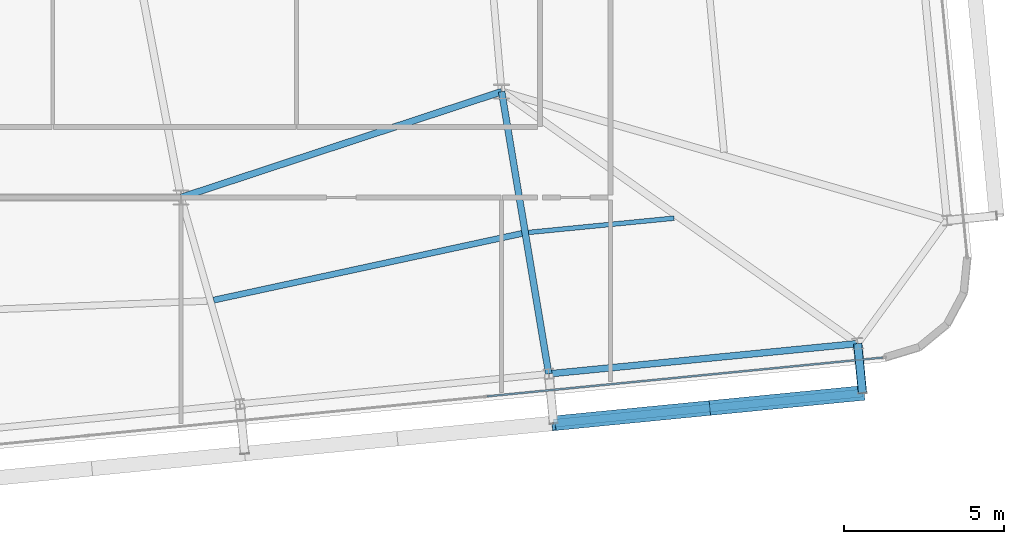
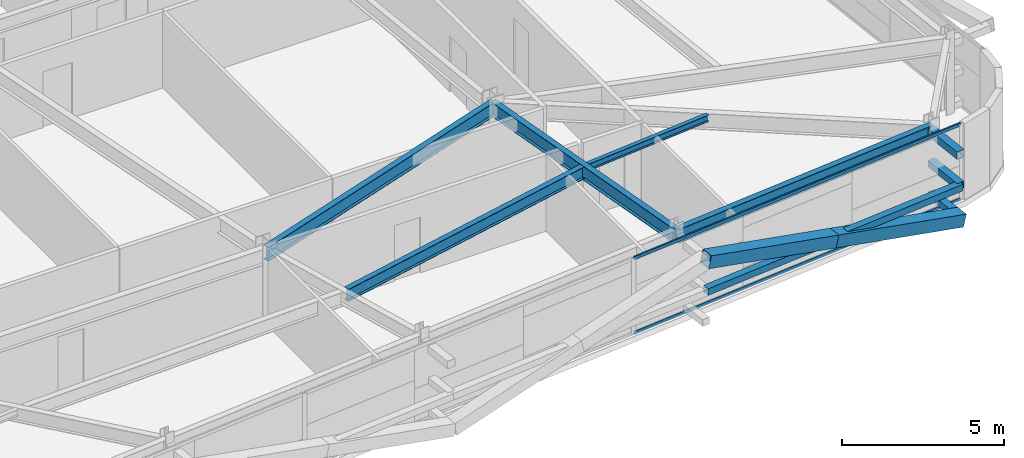
# One storey, part 16 of 47: 8 members, 5 beams, 1 element without a shape of its own.
"""IFC4 building model written with IfcOpenShell, lengths in metres."""

from ifc_helpers import new_model, si_unit, direction, frame, origin, origin_2d, place, context, subcontext, project, spatial, hollow_rectangle, i_section, extrude, source, transform, mapped, material, layer, layer_set, material_profile, profile_set, type_object, element, aggregate, save


model = new_model("IFC4")

# Units and contexts
model_context = context("Model", 3, precision=1e-05, world=origin(), true_north=direction((0.0, 1.0)))
body_context = subcontext(model_context, "Body", "Model", "MODEL_VIEW")
ifc_project = project(units=[si_unit("LENGTHUNIT", "METRE"), si_unit("AREAUNIT", "SQUARE_METRE"), si_unit("VOLUMEUNIT", "CUBIC_METRE"), si_unit("PLANEANGLEUNIT", "RADIAN"), si_unit("MASSUNIT", "GRAM", prefix="KILO")], contexts=[model_context])

# Site, building, storey
site_placement = place(None, origin())
site = spatial("IfcSite", under=ifc_project, at=site_placement, CompositionType="ELEMENT")
building_placement = place(site_placement, origin())
building = spatial("IfcBuilding", under=site, at=building_placement, Name="Taldren Reach Tower", CompositionType="ELEMENT")
storey_placement = place(building_placement, frame((0.0, 0.0, 109.199951171875)))
storey = spatial("IfcBuildingStorey", under=building, at=storey_placement, Name="L33", CompositionType="ELEMENT", Elevation=109.199951171875)

# Beam
ifc_material_1 = material(Name="Steel Gr 350 (350PLUS)", Category="steel")
ifc_material_profile_1 = material_profile(ifc_material_1, i_section(OverallWidth=0.208984375, OverallDepth=0.532958984375, WebThickness=0.01025390625, FlangeThickness=0.015625, at=origin_2d()), Name="530UB92.4")
ifc_profile_set_1 = profile_set([ifc_material_profile_1], Name="Steel Gr 350 (350PLUS)")
beam_type_1 = type_object("IfcBeamType", Name="BM-UB530A", PredefinedType="BEAM", material=ifc_profile_set_1)
shared_shape_1 = source(origin(), body_context, "Body", "SweptSolid", [
    extrude(i_section(OverallWidth=0.208984375, OverallDepth=0.532958984375, WebThickness=0.01025390625, FlangeThickness=0.015625, at=origin_2d()), origin(), (0.0, 0.0, 1.0), 10.530517578125),
])
beam_1_placement = place(storey_placement, frame((42.0, 9.199951171875, 2.603515625), z_axis=(0.949627269203, 0.313381635689, 0.0), x_axis=(-0.313381635689, 0.949627269203, 0.0)))
element("IfcBeam", 1, at=beam_1_placement, inside=storey, type_object=beam_type_1, Name="Core-spine girder L33-SP12", PredefinedType="BEAM", context=body_context, shape_type="MappedRepresentation", body=[
    mapped(shared_shape_1, transform((0.0, 0.0, 0.0), scale=1.0)),
])

# Members
ifc_material_2 = material(Name="Steel Gr 450 (C450L0)", Category="steel")
ifc_material_profile_2 = material_profile(ifc_material_2, hollow_rectangle(XDim=0.27490234375, YDim=0.27490234375, WallThickness=0.00927734375, at=origin_2d()), Name="275x275x9.3SHS")
ifc_profile_set_2 = profile_set([ifc_material_profile_2], Name="Steel Gr 450 (C450L0)")
member_type_1 = type_object("IfcMemberType", Name="MB-TIE273", PredefinedType="STRUT", material=ifc_profile_set_2)
shared_shape_2 = source(origin(), body_context, "Body", "SweptSolid", [
    extrude(hollow_rectangle(XDim=0.27490234375, YDim=0.27490234375, WallThickness=0.00927734375, at=origin_2d()), origin(), (0.0, 0.0, 1.0), 1.5498046875),
])
member_1_placement = place(storey_placement, frame((63.103271484375, 4.64306640625, 2.590087890625), z_axis=(0.097507178627, -0.995234821595, 0.0), x_axis=(0.995234821595, 0.097507178627, 0.0)))
element("IfcMember", 2, at=member_1_placement, inside=storey, type_object=member_type_1, Name="Exoskeleton diaphragm tie strut B2-S6 L33", PredefinedType="STRUT", context=body_context, shape_type="MappedRepresentation", body=[
    mapped(shared_shape_2, transform((0.0, 0.0, 0.0), scale=1.0)),
])
ifc_material_3 = material(Name="Steel Gr 350 (C350L0)", Category="steel")
ifc_material_profile_3 = material_profile(ifc_material_3, hollow_rectangle(XDim=0.25, YDim=0.25, WallThickness=0.010009765625, at=origin_2d()), Name="250x250x10.0SHS")
ifc_profile_set_3 = profile_set([ifc_material_profile_3], Name="Steel Gr 350 (C350L0)")
member_type_2 = type_object("IfcMemberType", Name="MB-POST250", PredefinedType="POST", material=ifc_profile_set_3)
shared_shape_3 = source(origin(), body_context, "Body", "SweptSolid", [
    extrude(hollow_rectangle(XDim=0.25, YDim=0.25, WallThickness=0.010009765625, at=origin_2d()), origin(), (0.0, 0.0, 1.0), 1.5498046875),
])
for number, where, z_axis, x_axis, name in (
    (3, (63.103271484375, 4.64306640625, 0.219970703125), (0.097507178627, -0.995234821595, 0.0), (0.995234821595, 0.097507178627, 0.0), "Exoskeleton base diaphragm tie strut B2-S6 L33"),
    (4, (63.103271484375, 4.64306640625, 1.405029296875), (0.097507178627, -0.995234821595, 0.0), (0.995234821595, 0.097507178627, 0.0), "Exoskeleton mid-tier diaphragm tie B2-S6 L33"),
):
    element("IfcMember", number, at=place(storey_placement, frame(where, z_axis=z_axis, x_axis=x_axis)), inside=storey, type_object=member_type_2, Name=name, PredefinedType="POST", context=body_context, shape_type="MappedRepresentation", body=[
        mapped(shared_shape_3, transform((0.0, 0.0, 0.0), scale=1.0)),
    ])

# Beams
ifc_material_profile_4 = material_profile(ifc_material_1, i_section(OverallWidth=0.208984375, OverallDepth=0.528076171875, WebThickness=0.009521484375, FlangeThickness=0.01318359375, at=origin_2d()), Name="530UB82.0")
ifc_profile_set_4 = profile_set([ifc_material_profile_4], Name="Steel Gr 350 (350PLUS)")
beam_type_2 = type_object("IfcBeamType", Name="SP-UB530B", PredefinedType="SPANDREL", material=ifc_profile_set_4)
shared_shape_4 = source(origin(), body_context, "Body", "SweptSolid", [
    extrude(i_section(OverallWidth=0.208984375, OverallDepth=0.528076171875, WebThickness=0.009521484375, FlangeThickness=0.01318359375, at=origin_2d()), origin(), (0.0, 0.0, 1.0), 9.679931640625),
])
beam_2_placement = place(storey_placement, frame((53.469482421875, 3.698486328125, 2.60595703125), z_axis=(0.995227612658, 0.097580730699, 0.0), x_axis=(-0.097580730699, 0.995227612658, 0.0)))
element("IfcBeam", 5, at=beam_2_placement, inside=storey, type_object=beam_type_2, Name="Perimeter spandrel B2 S5-S6 L33", PredefinedType="SPANDREL", context=body_context, shape_type="MappedRepresentation", body=[
    mapped(shared_shape_4, transform((0.0, 0.0, 0.0), scale=1.0)),
])
shared_shape_5 = source(origin(), body_context, "Body", "SweptSolid", [
    extrude(i_section(OverallWidth=0.208984375, OverallDepth=0.532958984375, WebThickness=0.01025390625, FlangeThickness=0.015625, at=origin_2d()), origin(), (0.0, 0.0, 1.0), 8.92333984375),
])
beam_3_placement = place(storey_placement, frame((52.0, 12.5, 2.603515625), z_axis=(0.164678494096, -0.986347298664, 0.0), x_axis=(0.986347298664, 0.164678494096, 0.0)))
element("IfcBeam", 6, at=beam_3_placement, inside=storey, type_object=beam_type_1, Name="Primary floor girder B2-S5 L33", PredefinedType="BEAM", context=body_context, shape_type="MappedRepresentation", body=[
    mapped(shared_shape_5, transform((0.0, 0.0, 0.0), scale=1.0)),
])
ifc_material_profile_5 = material_profile(ifc_material_1, i_section(OverallWidth=0.19091796875, OverallDepth=0.4599609375, WebThickness=0.010009765625, FlangeThickness=0.01611328125, at=origin_2d()), Name="460UB82.1")
ifc_profile_set_5 = profile_set([ifc_material_profile_5], Name="Steel Gr 350 (350PLUS)")
beam_type_3 = type_object("IfcBeamType", Name="BM-UB460A", PredefinedType="BEAM", material=ifc_profile_set_5)
shared_shape_6 = source(origin(), body_context, "Body", "SweptSolid", [
    extrude(i_section(OverallWidth=0.19091796875, OverallDepth=0.4599609375, WebThickness=0.010009765625, FlangeThickness=0.01611328125, at=origin_2d()), origin(), (0.0, 0.0, 1.0), 9.83447265625),
])
beam_4_placement = place(storey_placement, frame((43.02001953125, 5.9990234375, 2.64013671875), z_axis=(0.977418600156, 0.211312280924, 0.0), x_axis=(-0.211312280924, 0.977418600156, 0.0)))
element("IfcBeam", 7, at=beam_4_placement, inside=storey, type_object=beam_type_3, Name="Secondary floor beam B2 J4 L33", PredefinedType="BEAM", context=body_context, shape_type="MappedRepresentation", body=[
    mapped(shared_shape_6, transform((0.0, 0.0, 0.0), scale=1.0)),
])
ifc_material_4 = material(Name="Steel Gr 300 (300PLUS, 300 MPa)", Category="steel")
ifc_material_profile_6 = material_profile(ifc_material_4, i_section(OverallWidth=0.14599609375, OverallDepth=0.256103515625, WebThickness=0.00634765625, FlangeThickness=0.010986328125, at=origin_2d()), Name="250UB37.3")
ifc_profile_set_6 = profile_set([ifc_material_profile_6], Name="Steel Gr 300 (300PLUS, 300 MPa)")
beam_type_4 = type_object("IfcBeamType", Name="JS-UB250", PredefinedType="JOIST", material=ifc_profile_set_6)
shared_shape_7 = source(origin(), body_context, "Body", "SweptSolid", [
    extrude(i_section(OverallWidth=0.14599609375, OverallDepth=0.256103515625, WebThickness=0.00634765625, FlangeThickness=0.010986328125, at=origin_2d()), origin(), (0.0, 0.0, 1.0), 4.56103515625),
])
beam_5_placement = place(storey_placement, frame((52.8388671875, 8.109375, 2.741943359375), z_axis=(0.995227709746, 0.097579740487, 0.0), x_axis=(-0.097579740487, 0.995227709746, 0.0)))
element("IfcBeam", 8, at=beam_5_placement, inside=storey, type_object=beam_type_4, Name="Secondary floor joist B2 J5 L33", PredefinedType="JOIST", context=body_context, shape_type="MappedRepresentation", body=[
    mapped(shared_shape_7, transform((0.0, 0.0, 0.0), scale=1.0)),
])

# Members
shared_shape_8 = source(origin(), body_context, "Body", "SweptSolid", [
    extrude(hollow_rectangle(XDim=0.25, YDim=0.25, WallThickness=0.010009765625, at=origin_2d()), origin(), (0.0, 0.0, 1.0), 9.679931640625),
])
member_2_placement = place(storey_placement, frame((53.62060546875, 2.156005859375, 1.405029296875), z_axis=(0.995227612658, 0.097580730699, 0.0), x_axis=(-0.097580730699, 0.995227612658, 0.0)))
element("IfcMember", 9, at=member_2_placement, inside=storey, type_object=member_type_2, Name="Exoskeleton mid-height ring chord B2-S5 L33", PredefinedType="POST", context=body_context, shape_type="MappedRepresentation", body=[
    mapped(shared_shape_8, transform((0.0, 0.0, 0.0), scale=1.0)),
])
ifc_material_profile_7 = material_profile(ifc_material_2, hollow_rectangle(XDim=0.4599609375, YDim=0.4599609375, WallThickness=0.01611328125, at=origin_2d()), Name="460x460x16.0SHS")
ifc_profile_set_7 = profile_set([ifc_material_profile_7], Name="Steel Gr 450 (C450L0)")
member_type_3 = type_object("IfcMemberType", Name="MB-EXO457", PredefinedType="BRACE", material=ifc_profile_set_7)
shared_shape_9 = source(origin(), body_context, "Body", "SweptSolid", [
    extrude(hollow_rectangle(XDim=0.4599609375, YDim=0.4599609375, WallThickness=0.01611328125, at=origin_2d()), origin(), (0.0, 0.0, 1.0), 4.98291015625),
])
for number, where, z_axis, x_axis, name in (
    (10, (63.25439453125, 3.1005859375, 0.219970703125), (-0.966671000152, -0.094805290689, 0.23782164393), (0.097605711627, -0.995225162995, 0.0), "Exoskeleton Diagrid Brace B2-S5 L33"),
    (11, (58.4375, 2.628173828125, 1.405029296875), (-0.966675489194, -0.094756735738, 0.23782274833), (0.097555749586, -0.995230061706, 0.0), "Exoskeleton Diagrid Brace B2-S5 L33"),
):
    element("IfcMember", number, at=place(storey_placement, frame(where, z_axis=z_axis, x_axis=x_axis)), inside=storey, type_object=member_type_3, Name=name, PredefinedType="BRACE", context=body_context, shape_type="MappedRepresentation", body=[
        mapped(shared_shape_9, transform((0.0, 0.0, 0.0), scale=1.0)),
    ])

# Curtain wall, members
ifc_material_5 = material(Name="Aluminium and Low-E Glass Unitised System", Category="aluminium")
ifc_layer = layer(ifc_material_5, 0.159912109375)
ifc_layer_set = layer_set([ifc_layer], Name="Aluminium and Low-E Glass Unitised System")
curtain_wall_type = type_object("IfcCurtainWallType", Name="CW-SYS-3", PredefinedType="NOTDEFINED", material=ifc_layer_set)
curtain_wall_placement = place(storey_placement, origin())
curtain_wall = element("IfcCurtainWall", 12, at=curtain_wall_placement, inside=storey, type_object=curtain_wall_type, Name="Unitised curtain wall CW-L33-S", PredefinedType="NOTDEFINED")
ifc_material_6 = material(Name="Anodised Aluminium 6063-T6", Category="aluminium")
ifc_material_profile_8 = material_profile(ifc_material_6, hollow_rectangle(XDim=0.054931640625, YDim=0.1201171875, WallThickness=0.0029296875, at=origin_2d()), Name="ALU-120x55x3RHS")
ifc_profile_set_8 = profile_set([ifc_material_profile_8], Name="Anodised Aluminium 6063-T6")
member_type_4 = type_object("IfcMemberType", Name="CW-TRN-135", PredefinedType="USERDEFINED", material=ifc_profile_set_8)
shared_shape_10 = source(origin(), body_context, "Body", "SweptSolid", [
    extrude(hollow_rectangle(XDim=0.054931640625, YDim=0.1201171875, WallThickness=0.0029296875, at=origin_2d()), origin(), (0.0, 0.0, 1.0), 12.402587890625),
])
member_3_placement = place(storey_placement, frame((51.541015625, 2.9970703125, 0.027587890625), z_axis=(0.99522807535, 0.097576011581, 0.0), x_axis=(-0.097576011581, 0.99522807535, 0.0)))
member_3 = element("IfcMember", 13, at=member_3_placement, type_object=member_type_4, Name="CW-3 transom 4.1", ObjectType="TRANSOM", PredefinedType="USERDEFINED", context=body_context, shape_type="MappedRepresentation", body=[
    mapped(shared_shape_10, transform((0.0, 0.0, 0.0), scale=1.0)),
])
member_4_placement = place(storey_placement, frame((51.541015625, 2.9970703125, 2.842529296875), z_axis=(0.99522807535, 0.097576011581, 0.0), x_axis=(-0.097576011581, 0.99522807535, 0.0)))
member_4 = element("IfcMember", 14, at=member_4_placement, type_object=member_type_4, Name="CW-3 transom 4.2", ObjectType="TRANSOM", PredefinedType="USERDEFINED", context=body_context, shape_type="MappedRepresentation", body=[
    mapped(shared_shape_10, transform((0.0, 0.0, 0.0), scale=1.0)),
])
aggregate(curtain_wall, [member_3, member_4])

save(model, "model.ifc")
